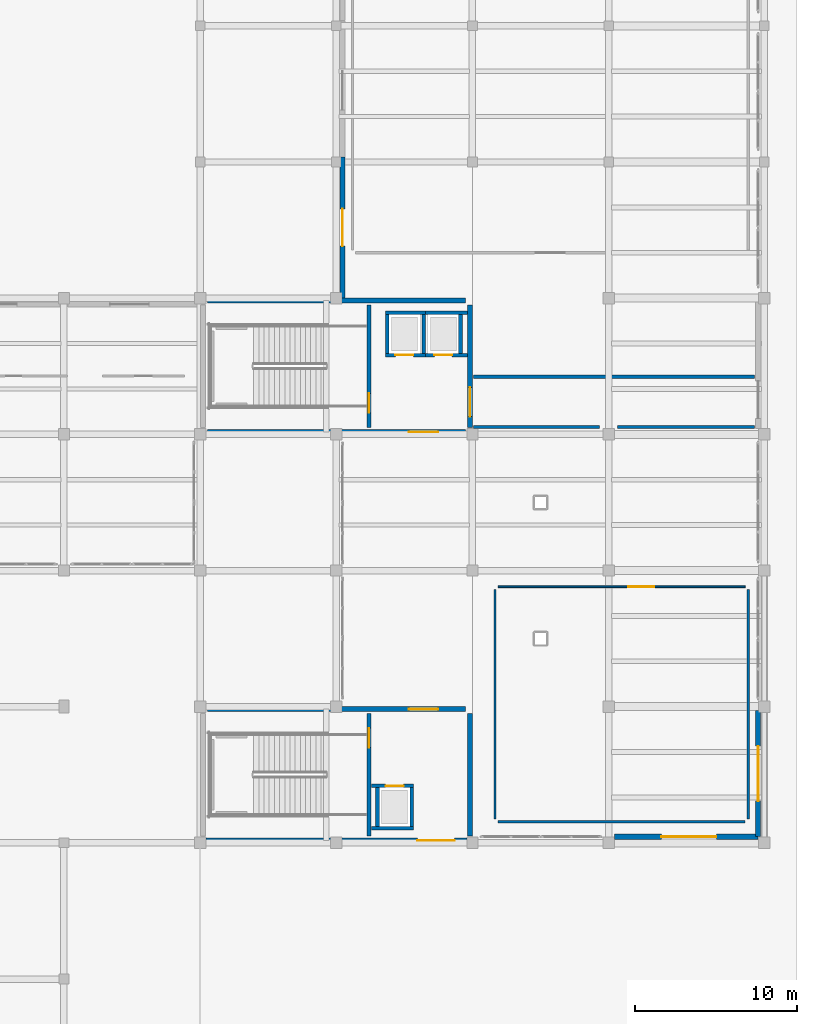
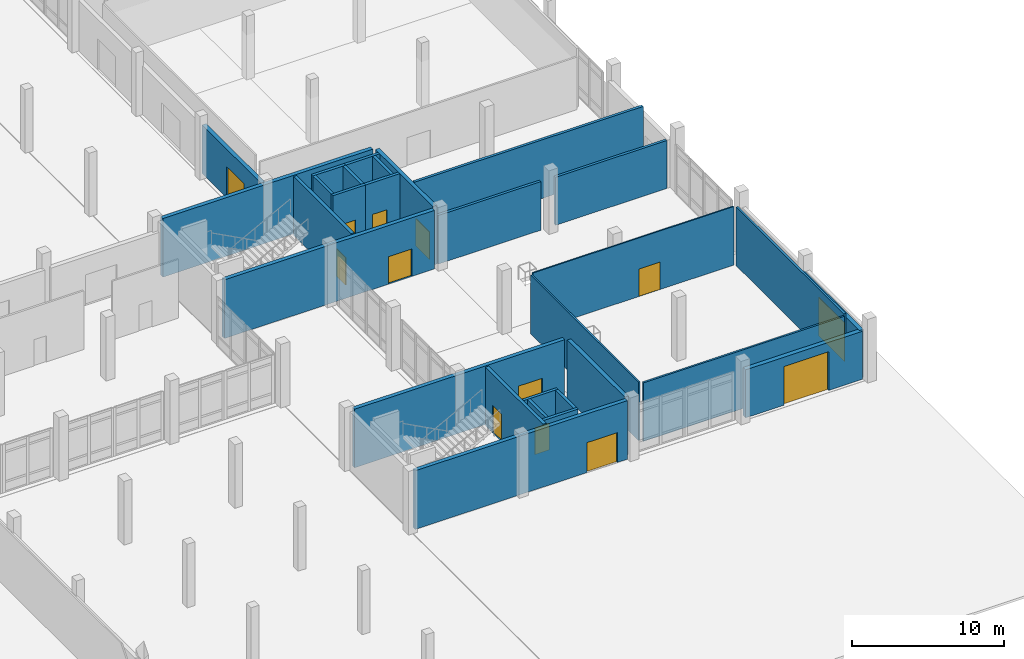
# One storey, part 50 of 64: 29 walls, 13 doors, 13 openings.
"""IFC4 building model written with IfcOpenShell, lengths in metres."""

from ifc_helpers import new_model, si_unit, derived_unit, direction, frame, frame_2d, origin, place, context, subcontext, project, spatial, rectangle, extrude, material, layer, layer_set, type_object, element, fill, save


model = new_model("IFC4")

# Units and contexts
model_context = context("Model", 3, precision=1e-05, world=origin(), true_north=direction((0.0, 1.0)))
body_context = subcontext(model_context, "Body", "Model", "MODEL_VIEW")
ifc_project = project(units=[si_unit("LENGTHUNIT", "METRE"), si_unit("AREAUNIT", "SQUARE_METRE"), si_unit("VOLUMEUNIT", "CUBIC_METRE"), si_unit("PLANEANGLEUNIT", "RADIAN"), si_unit("MASSUNIT", "GRAM", prefix="KILO"), derived_unit("THERMALTRANSMITTANCEUNIT", [(si_unit("POWERUNIT", "WATT"), 1), (si_unit("LENGTHUNIT", "METRE"), -2), (si_unit("THERMODYNAMICTEMPERATUREUNIT", "KELVIN"), -1)])], contexts=[model_context])

# Site, building, storey
site_placement = place(None, origin())
site = spatial("IfcSite", under=ifc_project, at=site_placement, CompositionType="ELEMENT")
building_placement = place(site_placement, origin())
building = spatial("IfcBuilding", under=site, at=building_placement, Name="Elbkamm Science Centre", CompositionType="ELEMENT")
storey_placement = place(building_placement, origin())
storey = spatial("IfcBuildingStorey", under=building, at=storey_placement, Name="L00", CompositionType="ELEMENT", Elevation=0.0)

# Wall, opening, door
ifc_material_1 = material(Name="Reinforced concrete C40/50", Category="concrete")
ifc_layer_1 = layer(ifc_material_1, 0.25)
ifc_layer_set_1 = layer_set([ifc_layer_1], Name="Reinforced concrete C40/50")
wall_type_1 = type_object("IfcWallType", Name="WL-CORE-250", PredefinedType="SHEAR", material=ifc_layer_set_1)
wall_1_placement = place(storey_placement, frame((136.419921875, 50.820068359375, 0.0), z_axis=(0.0, 0.0, 1.0), x_axis=(0.0, 1.0, 0.0)))
wall_1 = element("IfcWall", 1, at=wall_1_placement, inside=storey, type_object=wall_type_1, Name="L00 C3 Stairwell Compartment Wall", PredefinedType="SHEAR", context=body_context, shape_type="SweptSolid", body=[
    extrude(rectangle(XDim=7.559814453125, YDim=0.25, at=frame_2d((3.77978515625, 0.0))), origin(), (0.0, 0.0, 1.0), 4.699951171875),
])
opening_1_placement = place(wall_1_placement, frame((0.89990234375, 0.0, 0.0)))
opening_1 = element("IfcOpeningElement", 2, at=opening_1_placement, cuts=wall_1, Name="Opening DC-02", PredefinedType="OPENING", context=body_context, shape_type="SweptSolid", body=[
    extrude(rectangle(XDim=1.199951171875, YDim=2.199951171875, at=frame_2d((0.60009765625, 1.10009765625))), frame((0.0, 0.136962890625, 0.0), z_axis=(0.0, -1.0, 0.0), x_axis=(1.0, 0.0, 0.0)), (0.0, 0.0, 1.0), 0.27392578125),
])
ifc_material_2 = material(Name="Fire-rated steel acoustic door", Category="steel")
ifc_layer_2 = layer(ifc_material_2, 0.050048828125)
ifc_layer_set_2 = layer_set([ifc_layer_2], Name="Fire-rated steel acoustic door")
door_type_1 = type_object("IfcDoorType", Name="DR-CORE-1200x2200", OperationType="NOTDEFINED", PredefinedType="DOOR", material=ifc_layer_set_2)
door_1_placement = place(opening_1_placement, origin())
door_1 = element("IfcDoor", 3, at=door_1_placement, inside=storey, type_object=door_type_1, Name="L00 ST-C3 Stairwell Fire Door", OperationType="SINGLE_SWING_RIGHT", OverallHeight=2.199951171875, OverallWidth=1.199951171875, PredefinedType="DOOR", context=body_context, shape_type="SweptSolid", body=[
    extrude(rectangle(XDim=1.199951171875, YDim=2.199951171875, at=frame_2d((0.60009765625, 1.10009765625))), frame((0.0, 0.02490234375, 0.0), z_axis=(0.0, -1.0, 0.0), x_axis=(1.0, 0.0, 0.0)), (0.0, 0.0, 1.0), 0.050048828125),
])
fill(opening_1, door_1)

wall_2_placement = place(storey_placement, frame((136.419921875, 25.6201171875, 0.0), z_axis=(0.0, 0.0, 1.0), x_axis=(0.0, 1.0, 0.0)))
wall_2 = element("IfcWall", 4, at=wall_2_placement, inside=storey, type_object=wall_type_1, Name="L00 C4 Stairwell Compartment Wall", PredefinedType="SHEAR", context=body_context, shape_type="SweptSolid", body=[
    extrude(rectangle(XDim=7.559814453125, YDim=0.25, at=frame_2d((3.77978515625, 0.0))), origin(), (0.0, 0.0, 1.0), 4.699951171875),
])
opening_2_placement = place(wall_2_placement, frame((5.4599609375, 0.0, 0.0)))
opening_2 = element("IfcOpeningElement", 5, at=opening_2_placement, cuts=wall_2, Name="Opening DC-02", PredefinedType="OPENING", context=body_context, shape_type="SweptSolid", body=[
    extrude(rectangle(XDim=1.199951171875, YDim=2.199951171875, at=frame_2d((0.60009765625, 1.10009765625))), frame((0.0, 0.136962890625, 0.0), z_axis=(0.0, -1.0, 0.0), x_axis=(1.0, 0.0, 0.0)), (0.0, 0.0, 1.0), 0.27392578125),
])
door_2_placement = place(opening_2_placement, origin())
door_2 = element("IfcDoor", 6, at=door_2_placement, inside=storey, type_object=door_type_1, Name="L00 ST-C4 Stairwell Fire Door", OperationType="SINGLE_SWING_LEFT", OverallHeight=2.199951171875, OverallWidth=1.199951171875, PredefinedType="DOOR", context=body_context, shape_type="SweptSolid", body=[
    extrude(rectangle(XDim=1.199951171875, YDim=2.199951171875, at=frame_2d((0.60009765625, 1.10009765625))), frame((0.0, 0.02490234375, 0.0), z_axis=(0.0, -1.0, 0.0), x_axis=(1.0, 0.0, 0.0)), (0.0, 0.0, 1.0), 0.050048828125),
])
fill(opening_2, door_2)

ifc_layer_3 = layer(ifc_material_1, 0.300048828125)
ifc_layer_set_3 = layer_set([ifc_layer_3], Name="Reinforced concrete C40/50")
wall_type_2 = type_object("IfcWallType", Name="WL-CORE-300", PredefinedType="SHEAR", material=ifc_layer_set_3)
wall_3_placement = place(storey_placement, frame((126.449951171875, 50.550048828125, 0.0), z_axis=(0.0, 0.0, 1.0), x_axis=(1.0, 0.0, 0.0)))
wall_3 = element("IfcWall", 7, at=wall_3_placement, inside=storey, type_object=wall_type_2, Name="L00 Core C3 Northeast Laboratories and Observatory Core Shear Wall S", PredefinedType="SHEAR", context=body_context, shape_type="SweptSolid", body=[
    extrude(rectangle(XDim=15.929931640625, YDim=0.300048828125, at=frame_2d((7.96484375, 0.0))), origin(), (0.0, 0.0, 1.0), 4.699951171875),
])
opening_3_placement = place(wall_3_placement, frame((12.429931640625, 0.0, 0.0)))
opening_3 = element("IfcOpeningElement", 8, at=opening_3_placement, cuts=wall_3, Name="Opening DC-01", PredefinedType="OPENING", context=body_context, shape_type="SweptSolid", body=[
    extrude(rectangle(XDim=1.800048828125, YDim=2.199951171875, at=frame_2d((0.89990234375, 1.10009765625))), frame((0.0, 0.162109375, 0.0), z_axis=(0.0, -1.0, 0.0), x_axis=(1.0, 0.0, 0.0)), (0.0, 0.0, 1.0), 0.323974609375),
])
ifc_layer_4 = layer(ifc_material_2, 0.050048828125)
ifc_layer_set_4 = layer_set([ifc_layer_4], Name="Fire-rated steel acoustic door")
door_type_2 = type_object("IfcDoorType", Name="DR-CORE-1800x2200", OperationType="DOUBLE_DOOR_SINGLE_SWING", PredefinedType="DOOR", material=ifc_layer_set_4)
door_3_placement = place(opening_3_placement, origin())
door_3 = element("IfcDoor", 9, at=door_3_placement, inside=storey, type_object=door_type_2, Name="L00 C3 Core Lobby Fire Door", OperationType="DOUBLE_DOOR_SINGLE_SWING", OverallHeight=2.199951171875, OverallWidth=1.800048828125, PredefinedType="DOOR", context=body_context, shape_type="SweptSolid", body=[
    extrude(rectangle(XDim=1.800048828125, YDim=2.199951171875, at=frame_2d((0.89990234375, 1.10009765625))), frame((0.0, 0.02490234375, 0.0), z_axis=(0.0, -1.0, 0.0), x_axis=(1.0, 0.0, 0.0)), (0.0, 0.0, 1.0), 0.050048828125),
])
fill(opening_3, door_3)

# Wall
wall_4_placement = place(storey_placement, frame((126.449951171875, 58.64990234375, 0.0), z_axis=(0.0, 0.0, 1.0), x_axis=(1.0, 0.0, 0.0)))
element("IfcWall", 10, at=wall_4_placement, inside=storey, type_object=wall_type_2, Name="L00 Core C3 Northeast Laboratories and Observatory Core Shear Wall N", PredefinedType="SHEAR", context=body_context, shape_type="SweptSolid", body=[
    extrude(rectangle(XDim=15.929931640625, YDim=0.300048828125, at=frame_2d((7.96484375, 0.0))), origin(), (0.0, 0.0, 1.0), 4.699951171875),
])

# Wall, opening, door
wall_5_placement = place(storey_placement, frame((142.64990234375, 50.820068359375, 0.0), z_axis=(0.0, 0.0, 1.0), x_axis=(0.0, 1.0, 0.0)))
wall_5 = element("IfcWall", 11, at=wall_5_placement, inside=storey, type_object=wall_type_2, Name="L00 Core C3 Northeast Laboratories and Observatory Core Shear Wall E", PredefinedType="SHEAR", context=body_context, shape_type="SweptSolid", body=[
    extrude(rectangle(XDim=7.559814453125, YDim=0.300048828125, at=frame_2d((3.77978515625, 0.0))), origin(), (0.0, 0.0, 1.0), 4.699951171875),
])
opening_4_placement = place(wall_5_placement, frame((0.679931640625, 0.0, 0.0)))
opening_4 = element("IfcOpeningElement", 12, at=opening_4_placement, cuts=wall_5, Name="Opening DC-01", PredefinedType="OPENING", context=body_context, shape_type="SweptSolid", body=[
    extrude(rectangle(XDim=1.800048828125, YDim=2.199951171875, at=frame_2d((0.89990234375, 1.10009765625))), frame((0.0, 0.162109375, 0.0), z_axis=(0.0, -1.0, 0.0), x_axis=(1.0, 0.0, 0.0)), (0.0, 0.0, 1.0), 0.323974609375),
])
door_4_placement = place(opening_4_placement, frame((1.800048828125, 0.0, 0.0), z_axis=(0.0, 0.0, 1.0), x_axis=(-1.0, 0.0, 0.0)))
door_4 = element("IfcDoor", 13, at=door_4_placement, inside=storey, type_object=door_type_2, Name="L00 C3 Protected Exit Passageway Entry Fire Door", OperationType="DOUBLE_DOOR_SINGLE_SWING", OverallHeight=2.199951171875, OverallWidth=1.800048828125, PredefinedType="DOOR", context=body_context, shape_type="SweptSolid", body=[
    extrude(rectangle(XDim=1.800048828125, YDim=2.199951171875, at=frame_2d((0.89990234375, 1.10009765625))), frame((0.0, 0.02490234375, 0.0), z_axis=(0.0, -1.0, 0.0), x_axis=(1.0, 0.0, 0.0)), (0.0, 0.0, 1.0), 0.050048828125),
])
fill(opening_4, door_4)

wall_6_placement = place(storey_placement, frame((126.35205078125, 25.35009765625, 0.0), z_axis=(0.0, 0.0, 1.0), x_axis=(1.0, 0.0, 0.0)))
wall_6 = element("IfcWall", 14, at=wall_6_placement, inside=storey, type_object=wall_type_2, Name="L00 Core C4 Southeast Workshops and Library Core Shear Wall S", PredefinedType="SHEAR", context=body_context, shape_type="SweptSolid", body=[
    extrude(rectangle(XDim=16.095947265625, YDim=0.300048828125, at=frame_2d((8.0478515625, 0.0))), origin(), (0.0, 0.0, 1.0), 4.699951171875),
])
opening_5_placement = place(wall_6_placement, frame((13.048095703125, 0.0, 0.0)))
opening_5 = element("IfcOpeningElement", 15, at=opening_5_placement, cuts=wall_6, Name="Opening EX-22", PredefinedType="OPENING", context=body_context, shape_type="SweptSolid", body=[
    extrude(rectangle(XDim=2.300048828125, YDim=2.39990234375, at=frame_2d((1.14990234375, 1.199951171875))), frame((0.0, 0.162109375, 0.0), z_axis=(0.0, -1.0, 0.0), x_axis=(1.0, 0.0, 0.0)), (0.0, 0.0, 1.0), 0.323974609375),
])
ifc_material_3 = material(Name="Powder-coated aluminium and laminated glass", Category="aluminium")
ifc_layer_5 = layer(ifc_material_3, 0.050048828125)
ifc_layer_set_5 = layer_set([ifc_layer_5], Name="Powder-coated aluminium and laminated glass")
door_type_3 = type_object("IfcDoorType", Name="DR-EXIT-2300x2400", OperationType="DOUBLE_DOOR_SINGLE_SWING", PredefinedType="DOOR", material=ifc_layer_set_5)
door_5_placement = place(opening_5_placement, frame((2.300048828125, 0.0, 0.0), z_axis=(0.0, 0.0, 1.0), x_axis=(-1.0, 0.0, 0.0)))
door_5 = element("IfcDoor", 16, at=door_5_placement, inside=storey, type_object=door_type_3, Name="Core C4 Direct Final Exit Door EX-22", OperationType="DOUBLE_DOOR_SINGLE_SWING", OverallHeight=2.39990234375, OverallWidth=2.300048828125, PredefinedType="DOOR", context=body_context, shape_type="SweptSolid", body=[
    extrude(rectangle(XDim=2.300048828125, YDim=2.39990234375, at=frame_2d((1.14990234375, 1.199951171875))), frame((0.0, 0.02490234375, 0.0), z_axis=(0.0, -1.0, 0.0), x_axis=(1.0, 0.0, 0.0)), (0.0, 0.0, 1.0), 0.050048828125),
])
fill(opening_5, door_5)

wall_7_placement = place(storey_placement, frame((126.449951171875, 33.449951171875, 0.0), z_axis=(0.0, 0.0, 1.0), x_axis=(1.0, 0.0, 0.0)))
wall_7 = element("IfcWall", 17, at=wall_7_placement, inside=storey, type_object=wall_type_2, Name="L00 Core C4 Southeast Workshops and Library Core Shear Wall N", PredefinedType="SHEAR", context=body_context, shape_type="SweptSolid", body=[
    extrude(rectangle(XDim=15.929931640625, YDim=0.300048828125, at=frame_2d((7.96484375, 0.0))), origin(), (0.0, 0.0, 1.0), 4.699951171875),
])
opening_6_placement = place(wall_7_placement, frame((12.429931640625, 0.0, 0.0)))
opening_6 = element("IfcOpeningElement", 18, at=opening_6_placement, cuts=wall_7, Name="Opening DC-01", PredefinedType="OPENING", context=body_context, shape_type="SweptSolid", body=[
    extrude(rectangle(XDim=1.800048828125, YDim=2.199951171875, at=frame_2d((0.89990234375, 1.10009765625))), frame((0.0, 0.162109375, 0.0), z_axis=(0.0, -1.0, 0.0), x_axis=(1.0, 0.0, 0.0)), (0.0, 0.0, 1.0), 0.323974609375),
])
door_6_placement = place(opening_6_placement, origin())
door_6 = element("IfcDoor", 19, at=door_6_placement, inside=storey, type_object=door_type_2, Name="L00 C4 Core Lobby Fire Door", OperationType="DOUBLE_DOOR_SINGLE_SWING", OverallHeight=2.199951171875, OverallWidth=1.800048828125, PredefinedType="DOOR", context=body_context, shape_type="SweptSolid", body=[
    extrude(rectangle(XDim=1.800048828125, YDim=2.199951171875, at=frame_2d((0.89990234375, 1.10009765625))), frame((0.0, 0.02490234375, 0.0), z_axis=(0.0, -1.0, 0.0), x_axis=(1.0, 0.0, 0.0)), (0.0, 0.0, 1.0), 0.050048828125),
])
fill(opening_6, door_6)

# Walls
wall_8_placement = place(storey_placement, frame((142.64990234375, 25.6201171875, 0.0), z_axis=(0.0, 0.0, 1.0), x_axis=(0.0, 1.0, 0.0)))
element("IfcWall", 20, at=wall_8_placement, inside=storey, type_object=wall_type_2, Name="L00 Core C4 Southeast Workshops and Library Core Shear Wall E", PredefinedType="SHEAR", context=body_context, shape_type="SweptSolid", body=[
    extrude(rectangle(XDim=7.559814453125, YDim=0.300048828125, at=frame_2d((3.77978515625, 0.0))), origin(), (0.0, 0.0, 1.0), 4.699951171875),
])
ifc_material_4 = material(Name="Fire-rated acoustic blockwork", Category="masonry")
ifc_layer_6 = layer(ifc_material_4, 0.199951171875)
ifc_layer_set_6 = layer_set([ifc_layer_6], Name="Fire-rated acoustic blockwork")
wall_type_3 = type_object("IfcWallType", Name="WL-EXCOR-200", PredefinedType="PARTITIONING", material=ifc_layer_set_6)
wall_9_placement = place(storey_placement, frame((142.85009765625, 50.85009765625, 0.0), z_axis=(0.0, 0.0, 1.0), x_axis=(1.0, 0.0, 0.0)))
element("IfcWall", 21, at=wall_9_placement, inside=storey, type_object=wall_type_3, Name="L00 Protected Exit Passageway C3 EI 90 Wall S1", PredefinedType="PARTITIONING", context=body_context, shape_type="SweptSolid", body=[
    extrude(rectangle(XDim=7.7998046875, YDim=0.199951171875, at=frame_2d((3.89990234375, 0.0))), origin(), (0.0, 0.0, 1.0), 3.89990234375),
])
wall_10_placement = place(storey_placement, frame((151.75, 50.85009765625, 0.0), z_axis=(0.0, 0.0, 1.0), x_axis=(1.0, 0.0, 0.0)))
element("IfcWall", 22, at=wall_10_placement, inside=storey, type_object=wall_type_3, Name="L00 Protected Exit Passageway C3 EI 90 Wall S2", PredefinedType="PARTITIONING", context=body_context, shape_type="SweptSolid", body=[
    extrude(rectangle(XDim=8.449951171875, YDim=0.199951171875, at=frame_2d((4.22509765625, 0.0))), origin(), (0.0, 0.0, 1.0), 3.85009765625),
])
wall_11_placement = place(storey_placement, frame((142.85009765625, 53.949951171875, 0.0), z_axis=(0.0, 0.0, 1.0), x_axis=(1.0, 0.0, 0.0)))
element("IfcWall", 23, at=wall_11_placement, inside=storey, type_object=wall_type_3, Name="L00 Protected Exit Passageway C3 EI 90 Wall N1", PredefinedType="PARTITIONING", context=body_context, shape_type="SweptSolid", body=[
    extrude(rectangle(XDim=17.349853515625, YDim=0.199951171875, at=frame_2d((8.6748046875, 0.0))), origin(), (0.0, 0.0, 1.0), 4.699951171875),
])

# Wall, opening, door
ifc_material_5 = material(Name="White precast concrete C40/50", Category="concrete")
ifc_layer_7 = layer(ifc_material_5, 0.31005859375)
ifc_layer_set_7 = layer_set([ifc_layer_7], Name="White precast concrete C40/50")
wall_type_4 = type_object("IfcWallType", Name="WL-EXT-310", PredefinedType="SOLIDWALL", material=ifc_layer_set_7)
wall_12_placement = place(storey_placement, frame((134.780029296875, 58.81494140625, 0.0), z_axis=(0.0, 0.0, 1.0), x_axis=(0.0, 1.0, 0.0)))
wall_12 = element("IfcWall", 24, at=wall_12_placement, inside=storey, type_object=wall_type_4, Name="L00 Exterior Wall 0137", PredefinedType="SOLIDWALL", context=body_context, shape_type="SweptSolid", body=[
    extrude(rectangle(XDim=8.68505859375, YDim=0.31005859375, at=frame_2d((4.342529296875, 0.0))), origin(), (0.0, 0.0, 1.0), 3.89990234375),
])
opening_7_placement = place(wall_12_placement, frame((3.1904296875, 0.0, 0.0)))
opening_7 = element("IfcOpeningElement", 25, at=opening_7_placement, cuts=wall_12, Name="Opening EX-18", PredefinedType="OPENING", context=body_context, shape_type="SweptSolid", body=[
    extrude(rectangle(XDim=2.300048828125, YDim=2.5, at=frame_2d((1.14990234375, 1.25))), frame((0.0, 0.1669921875, 0.0), z_axis=(0.0, -1.0, 0.0), x_axis=(1.0, 0.0, 0.0)), (0.0, 0.0, 1.0), 0.333984375),
])
ifc_layer_8 = layer(ifc_material_3, 0.050048828125)
ifc_layer_set_8 = layer_set([ifc_layer_8], Name="Powder-coated aluminium and laminated glass")
door_type_4 = type_object("IfcDoorType", Name="DR-EXIT-2300x2500", OperationType="DOUBLE_DOOR_SINGLE_SWING", PredefinedType="DOOR", material=ifc_layer_set_8)
door_7_placement = place(opening_7_placement, origin())
door_7 = element("IfcDoor", 26, at=door_7_placement, inside=storey, type_object=door_type_4, Name="Final Exit Pedestrian Door EX-18", OperationType="DOUBLE_DOOR_SINGLE_SWING", OverallHeight=2.5, OverallWidth=2.300048828125, PredefinedType="DOOR", context=body_context, shape_type="SweptSolid", body=[
    extrude(rectangle(XDim=2.300048828125, YDim=2.5, at=frame_2d((1.14990234375, 1.25))), frame((0.0, 0.02490234375, 0.0), z_axis=(0.0, -1.0, 0.0), x_axis=(1.0, 0.0, 0.0)), (0.0, 0.0, 1.0), 0.050048828125),
])
fill(opening_7, door_7)

wall_13_placement = place(storey_placement, frame((160.419921875, 33.36083984375, 0.0), z_axis=(0.0, 0.0, 1.0), x_axis=(0.0, -1.0, 0.0)))
wall_13 = element("IfcWall", 27, at=wall_13_placement, inside=storey, type_object=wall_type_4, Name="L00 Exterior Wall 0141", PredefinedType="SOLIDWALL", context=body_context, shape_type="SweptSolid", body=[
    extrude(rectangle(XDim=7.78076171875, YDim=0.31005859375, at=frame_2d((3.890380859375, 0.0))), origin(), (0.0, 0.0, 1.0), 3.85009765625),
])
opening_8_placement = place(wall_13_placement, frame((2.1904296875, 0.0, 0.0)))
opening_8 = element("IfcOpeningElement", 28, at=opening_8_placement, cuts=wall_13, Name="Opening GT-01", PredefinedType="OPENING", context=body_context, shape_type="SweptSolid", body=[
    extrude(rectangle(XDim=3.39990234375, YDim=3.10009765625, at=frame_2d((1.699951171875, 1.550048828125))), frame((0.0, 0.1669921875, 0.0), z_axis=(0.0, -1.0, 0.0), x_axis=(1.0, 0.0, 0.0)), (0.0, 0.0, 1.0), 0.333984375),
])
ifc_material_6 = material(Name="Insulated galvanised steel shutter", Category="steel")
ifc_layer_9 = layer(ifc_material_6, 0.050048828125)
ifc_layer_set_9 = layer_set([ifc_layer_9], Name="Insulated galvanised steel shutter")
door_type_5 = type_object("IfcDoorType", Name="DR-GATE-3400x3100", OperationType="ROLLINGUP", PredefinedType="GATE", material=ifc_layer_set_9)
door_8_placement = place(opening_8_placement, origin())
door_8 = element("IfcDoor", 29, at=door_8_placement, inside=storey, type_object=door_type_5, Name="Loading Dock Roller Shutter Gate GT-01", OperationType="ROLLINGUP", OverallHeight=3.10009765625, OverallWidth=3.39990234375, PredefinedType="GATE", context=body_context, shape_type="SweptSolid", body=[
    extrude(rectangle(XDim=3.39990234375, YDim=3.10009765625, at=frame_2d((1.699951171875, 1.550048828125))), frame((0.0, 0.02490234375, 0.0), z_axis=(0.0, -1.0, 0.0), x_axis=(1.0, 0.0, 0.0)), (0.0, 0.0, 1.0), 0.050048828125),
])
fill(opening_8, door_8)

ifc_layer_10 = layer(ifc_material_5, 0.340087890625)
ifc_layer_set_10 = layer_set([ifc_layer_10], Name="White precast concrete C40/50")
wall_type_5 = type_object("IfcWallType", Name="WL-EXT-340", PredefinedType="SOLIDWALL", material=ifc_layer_set_10)
wall_14_placement = place(storey_placement, frame((160.419921875, 25.580078125, 0.0), z_axis=(0.0, 0.0, 1.0), x_axis=(-1.0, 0.0, 0.0)))
wall_14 = element("IfcWall", 30, at=wall_14_placement, inside=storey, type_object=wall_type_5, Name="L00 Exterior Wall 0142", PredefinedType="SOLIDWALL", context=body_context, shape_type="SweptSolid", body=[
    extrude(rectangle(XDim=8.867919921875, YDim=0.340087890625, at=frame_2d((4.43408203125, 0.0))), origin(), (0.0, 0.0, 1.0), 3.85009765625),
])
opening_9_placement = place(wall_14_placement, frame((2.5673828125, 0.0, 0.0)))
opening_9 = element("IfcOpeningElement", 31, at=opening_9_placement, cuts=wall_14, Name="Opening GT-02", PredefinedType="OPENING", context=body_context, shape_type="SweptSolid", body=[
    extrude(rectangle(XDim=3.39990234375, YDim=3.10009765625, at=frame_2d((1.699951171875, 1.550048828125))), frame((0.0, 0.18212890625, 0.0), z_axis=(0.0, -1.0, 0.0), x_axis=(1.0, 0.0, 0.0)), (0.0, 0.0, 1.0), 0.364013671875),
])
door_9_placement = place(opening_9_placement, origin())
door_9 = element("IfcDoor", 32, at=door_9_placement, inside=storey, type_object=door_type_5, Name="Loading Dock Roller Shutter Gate GT-02", OperationType="ROLLINGUP", OverallHeight=3.10009765625, OverallWidth=3.39990234375, PredefinedType="GATE", context=body_context, shape_type="SweptSolid", body=[
    extrude(rectangle(XDim=3.39990234375, YDim=3.10009765625, at=frame_2d((1.699951171875, 1.550048828125))), frame((0.0, 0.02490234375, 0.0), z_axis=(0.0, -1.0, 0.0), x_axis=(1.0, 0.0, 0.0)), (0.0, 0.0, 1.0), 0.050048828125),
])
fill(opening_9, door_9)

ifc_material_7 = material(Name="Drywall service partition", Category="gypsum")
ifc_layer_11 = layer(ifc_material_7, 0.10009765625)
ifc_layer_set_11 = layer_set([ifc_layer_11], Name="Drywall service partition")
wall_type_6 = type_object("IfcWallType", Name="WL-PART-100", PredefinedType="PARTITIONING", material=ifc_layer_set_11)
wall_15_placement = place(storey_placement, frame((144.3798828125, 41.0, 0.0), z_axis=(0.0, 0.0, 1.0), x_axis=(1.0, 0.0, 0.0)))
wall_15 = element("IfcWall", 33, at=wall_15_placement, inside=storey, type_object=wall_type_6, Name="L00 Exhibit Truck Loading Dock Partition 0047", PredefinedType="PARTITIONING", context=body_context, shape_type="SweptSolid", body=[
    extrude(rectangle(XDim=15.240234375, YDim=0.10009765625, at=frame_2d((7.6201171875, 0.0))), origin(), (0.0, 0.0, 1.0), 4.699951171875),
])
opening_10_placement = place(wall_15_placement, frame((8.039306640625, 0.0, 0.0)))
opening_10 = element("IfcOpeningElement", 34, at=opening_10_placement, cuts=wall_15, Name="Opening DI-02", PredefinedType="OPENING", context=body_context, shape_type="SweptSolid", body=[
    extrude(rectangle(XDim=1.60009765625, YDim=2.199951171875, at=frame_2d((0.800048828125, 1.10009765625))), frame((0.0, 0.06201171875, 0.0), z_axis=(0.0, -1.0, 0.0), x_axis=(1.0, 0.0, 0.0)), (0.0, 0.0, 1.0), 0.1240234375),
])
ifc_material_8 = material(Name="Acoustic oak veneer and safety glass door", Category="glass")
ifc_layer_12 = layer(ifc_material_8, 0.050048828125)
ifc_layer_set_12 = layer_set([ifc_layer_12], Name="Acoustic oak veneer and safety glass door")
door_type_6 = type_object("IfcDoorType", Name="DR-INT-1600x2200", OperationType="DOUBLE_DOOR_SINGLE_SWING", PredefinedType="DOOR", material=ifc_layer_set_12)
door_10_placement = place(opening_10_placement, origin())
door_10 = element("IfcDoor", 35, at=door_10_placement, inside=storey, type_object=door_type_6, Name="L00 Exhibit Truck Loading Dock Door", OperationType="DOUBLE_DOOR_SINGLE_SWING", OverallHeight=2.199951171875, OverallWidth=1.60009765625, PredefinedType="DOOR", context=body_context, shape_type="SweptSolid", body=[
    extrude(rectangle(XDim=1.60009765625, YDim=2.199951171875, at=frame_2d((0.800048828125, 1.10009765625))), frame((0.0, 0.02490234375, 0.0), z_axis=(0.0, -1.0, 0.0), x_axis=(1.0, 0.0, 0.0)), (0.0, 0.0, 1.0), 0.050048828125),
])
fill(opening_10, door_10)

# Walls
ifc_material_9 = material(Name="Lightweight metal-stud gypsum partition", Category="gypsum")
ifc_layer_13 = layer(ifc_material_9, 0.125)
ifc_layer_set_13 = layer_set([ifc_layer_13], Name="Lightweight metal-stud gypsum partition")
wall_type_7 = type_object("IfcWallType", Name="WL-PART-125", PredefinedType="PARTITIONING", material=ifc_layer_set_13)
wall_16_placement = place(storey_placement, frame((144.199951171875, 26.679931640625, 0.0), z_axis=(0.0, 0.0, 1.0), x_axis=(0.0, 1.0, 0.0)))
element("IfcWall", 36, at=wall_16_placement, inside=storey, type_object=wall_type_7, Name="L00 Exhibit Truck Loading Dock Partition 0050", PredefinedType="PARTITIONING", context=body_context, shape_type="SweptSolid", body=[
    extrude(rectangle(XDim=14.14013671875, YDim=0.125, at=frame_2d((7.070068359375, 0.0))), origin(), (0.0, 0.0, 1.0), 4.699951171875),
])
ifc_material_10 = material(Name="Acoustic metal-stud gypsum partition", Category="gypsum")
ifc_layer_14 = layer(ifc_material_10, 0.139892578125)
ifc_layer_set_14 = layer_set([ifc_layer_14], Name="Acoustic metal-stud gypsum partition")
wall_type_8 = type_object("IfcWallType", Name="WL-PART-140", PredefinedType="PARTITIONING", material=ifc_layer_set_14)
wall_17_placement = place(storey_placement, frame((159.6201171875, 26.5, 0.0), z_axis=(0.0, 0.0, 1.0), x_axis=(-1.0, 0.0, 0.0)))
element("IfcWall", 37, at=wall_17_placement, inside=storey, type_object=wall_type_8, Name="L00 Exhibit Truck Loading Dock Partition 0049", PredefinedType="PARTITIONING", context=body_context, shape_type="SweptSolid", body=[
    extrude(rectangle(XDim=15.240234375, YDim=0.139892578125, at=frame_2d((7.6201171875, 0.0))), origin(), (0.0, 0.0, 1.0), 4.699951171875),
])
ifc_layer_15 = layer(ifc_material_10, 0.159912109375)
ifc_layer_set_15 = layer_set([ifc_layer_15], Name="Acoustic metal-stud gypsum partition")
wall_type_9 = type_object("IfcWallType", Name="WL-PART-160", PredefinedType="PARTITIONING", material=ifc_layer_set_15)
wall_18_placement = place(storey_placement, frame((159.800048828125, 40.820068359375, 0.0), z_axis=(0.0, 0.0, 1.0), x_axis=(0.0, -1.0, 0.0)))
element("IfcWall", 38, at=wall_18_placement, inside=storey, type_object=wall_type_9, Name="L00 Exhibit Truck Loading Dock Partition 0048", PredefinedType="PARTITIONING", context=body_context, shape_type="SweptSolid", body=[
    extrude(rectangle(XDim=14.14013671875, YDim=0.159912109375, at=frame_2d((7.070068359375, 0.0))), origin(), (0.0, 0.0, 1.0), 4.699951171875),
])
ifc_layer_16 = layer(ifc_material_1, 0.219970703125)
ifc_layer_set_16 = layer_set([ifc_layer_16], Name="Reinforced concrete C40/50")
wall_type_10 = type_object("IfcWallType", Name="WL-SHAFT-220", PredefinedType="SOLIDWALL", material=ifc_layer_set_16)
wall_19_placement = place(storey_placement, frame((137.5400390625, 55.39990234375, 0.0), z_axis=(0.0, 0.0, 1.0), x_axis=(0.0, 1.0, 0.0)))
element("IfcWall", 39, at=wall_19_placement, inside=storey, type_object=wall_type_10, Name="L00 Lift LP1 Shaft West Wall", PredefinedType="SOLIDWALL", context=body_context, shape_type="SweptSolid", body=[
    extrude(rectangle(XDim=2.400146484375, YDim=0.219970703125, at=frame_2d((1.2001953125, 0.0))), origin(), (0.0, 0.0, 1.0), 4.699951171875),
])
wall_20_placement = place(storey_placement, frame((137.429931640625, 57.909912109375, 0.0), z_axis=(0.0, 0.0, 1.0), x_axis=(1.0, 0.0, 0.0)))
element("IfcWall", 40, at=wall_20_placement, inside=storey, type_object=wall_type_10, Name="L00 Lift LP1 Shaft Back Wall", PredefinedType="SOLIDWALL", context=body_context, shape_type="SweptSolid", body=[
    extrude(rectangle(XDim=2.47998046875, YDim=0.219970703125, at=frame_2d((1.239990234375, 0.0))), origin(), (0.0, 0.0, 1.0), 4.699951171875),
])

# Wall, opening, door
wall_21_placement = place(storey_placement, frame((137.429931640625, 55.2900390625, 0.0), z_axis=(0.0, 0.0, 1.0), x_axis=(1.0, 0.0, 0.0)))
wall_21 = element("IfcWall", 41, at=wall_21_placement, inside=storey, type_object=wall_type_10, Name="L00 Lift LP1 Shaft Front Wall", PredefinedType="SOLIDWALL", context=body_context, shape_type="SweptSolid", body=[
    extrude(rectangle(XDim=2.47998046875, YDim=0.219970703125, at=frame_2d((1.239990234375, 0.0))), origin(), (0.0, 0.0, 1.0), 4.699951171875),
])
opening_11_placement = place(wall_21_placement, frame((0.6201171875, 0.0, 0.0)))
opening_11 = element("IfcOpeningElement", 42, at=opening_11_placement, cuts=wall_21, Name="Opening LD-01", PredefinedType="OPENING", context=body_context, shape_type="SweptSolid", body=[
    extrude(rectangle(XDim=1.10009765625, YDim=2.14990234375, at=frame_2d((0.550048828125, 1.074951171875))), frame((0.0, 0.1220703125, 0.0), z_axis=(0.0, -1.0, 0.0), x_axis=(1.0, 0.0, 0.0)), (0.0, 0.0, 1.0), 0.243896484375),
])
ifc_material_11 = material(Name="Stainless steel lift landing door", Category="steel")
ifc_layer_17 = layer(ifc_material_11, 0.050048828125)
ifc_layer_set_17 = layer_set([ifc_layer_17], Name="Stainless steel lift landing door")
door_type_7 = type_object("IfcDoorType", Name="DR-LIFT-1100x2150", OperationType="DOUBLE_DOOR_SLIDING", PredefinedType="DOOR", material=ifc_layer_set_17)
door_11_placement = place(opening_11_placement, origin())
door_11 = element("IfcDoor", 43, at=door_11_placement, inside=storey, type_object=door_type_7, Name="L00 Lift LP1 Sliding Landing Door", OperationType="DOUBLE_DOOR_SLIDING", OverallHeight=2.14990234375, OverallWidth=1.10009765625, PredefinedType="DOOR", context=body_context, shape_type="SweptSolid", body=[
    extrude(rectangle(XDim=1.10009765625, YDim=2.14990234375, at=frame_2d((0.550048828125, 1.074951171875))), frame((0.0, 0.02490234375, 0.0), z_axis=(0.0, -1.0, 0.0), x_axis=(1.0, 0.0, 0.0)), (0.0, 0.0, 1.0), 0.050048828125),
])
fill(opening_11, door_11)

# Walls
for number, where, z_axis, x_axis, name in (
    (44, (139.800048828125, 55.39990234375, 0.0), (0.0, 0.0, 1.0), (0.0, 1.0, 0.0), "L00 Lift LP2 Shaft Divider Wall"),
    (45, (142.06005859375, 55.39990234375, 0.0), (0.0, 0.0, 1.0), (0.0, 1.0, 0.0), "L00 Lift LP2 Shaft East Wall"),
):
    element("IfcWall", number, at=place(storey_placement, frame(where, z_axis=z_axis, x_axis=x_axis)), inside=storey, type_object=wall_type_10, Name=name, PredefinedType="SOLIDWALL", context=body_context, shape_type="SweptSolid", body=[
        extrude(rectangle(XDim=2.400146484375, YDim=0.219970703125, at=frame_2d((1.2001953125, 0.0))), origin(), (0.0, 0.0, 1.0), 4.699951171875),
    ])
wall_22_placement = place(storey_placement, frame((139.68994140625, 57.909912109375, 0.0), z_axis=(0.0, 0.0, 1.0), x_axis=(1.0, 0.0, 0.0)))
element("IfcWall", 46, at=wall_22_placement, inside=storey, type_object=wall_type_10, Name="L00 Lift LP2 Shaft Back Wall", PredefinedType="SOLIDWALL", context=body_context, shape_type="SweptSolid", body=[
    extrude(rectangle(XDim=2.81005859375, YDim=0.219970703125, at=frame_2d((1.405029296875, 0.0))), origin(), (0.0, 0.0, 1.0), 4.699951171875),
])

# Wall, opening, door
wall_23_placement = place(storey_placement, frame((139.68994140625, 55.2900390625, 0.0), z_axis=(0.0, 0.0, 1.0), x_axis=(1.0, 0.0, 0.0)))
wall_23 = element("IfcWall", 47, at=wall_23_placement, inside=storey, type_object=wall_type_10, Name="L00 Lift LP2 Shaft Front Wall", PredefinedType="SOLIDWALL", context=body_context, shape_type="SweptSolid", body=[
    extrude(rectangle(XDim=2.81005859375, YDim=0.219970703125, at=frame_2d((1.405029296875, 0.0))), origin(), (0.0, 0.0, 1.0), 4.699951171875),
])
opening_12_placement = place(wall_23_placement, frame((0.760009765625, 0.0, 0.0)))
opening_12 = element("IfcOpeningElement", 48, at=opening_12_placement, cuts=wall_23, Name="Opening LD-01", PredefinedType="OPENING", context=body_context, shape_type="SweptSolid", body=[
    extrude(rectangle(XDim=1.10009765625, YDim=2.14990234375, at=frame_2d((0.550048828125, 1.074951171875))), frame((0.0, 0.1220703125, 0.0), z_axis=(0.0, -1.0, 0.0), x_axis=(1.0, 0.0, 0.0)), (0.0, 0.0, 1.0), 0.243896484375),
])
door_12_placement = place(opening_12_placement, origin())
door_12 = element("IfcDoor", 49, at=door_12_placement, inside=storey, type_object=door_type_7, Name="L00 Lift LP2 Sliding Landing Door", OperationType="DOUBLE_DOOR_SLIDING", OverallHeight=2.14990234375, OverallWidth=1.10009765625, PredefinedType="DOOR", context=body_context, shape_type="SweptSolid", body=[
    extrude(rectangle(XDim=1.10009765625, YDim=2.14990234375, at=frame_2d((0.550048828125, 1.074951171875))), frame((0.0, 0.02490234375, 0.0), z_axis=(0.0, -1.0, 0.0), x_axis=(1.0, 0.0, 0.0)), (0.0, 0.0, 1.0), 0.050048828125),
])
fill(opening_12, door_12)

# Walls
for number, where, z_axis, x_axis, name in (
    (50, (136.93994140625, 26.199951171875, 0.0), (0.0, 0.0, 1.0), (0.0, 1.0, 0.0), "L00 Lift LP3 Shaft West Wall"),
    (51, (139.06005859375, 26.199951171875, 0.0), (0.0, 0.0, 1.0), (0.0, 1.0, 0.0), "L00 Lift LP3 Shaft East Wall"),
):
    element("IfcWall", number, at=place(storey_placement, frame(where, z_axis=z_axis, x_axis=x_axis)), inside=storey, type_object=wall_type_10, Name=name, PredefinedType="SOLIDWALL", context=body_context, shape_type="SweptSolid", body=[
        extrude(rectangle(XDim=2.400146484375, YDim=0.219970703125, at=frame_2d((1.2001953125, 0.0))), origin(), (0.0, 0.0, 1.0), 4.699951171875),
    ])
wall_24_placement = place(storey_placement, frame((136.56005859375, 26.090087890625, 0.0), z_axis=(0.0, 0.0, 1.0), x_axis=(1.0, 0.0, 0.0)))
element("IfcWall", 52, at=wall_24_placement, inside=storey, type_object=wall_type_10, Name="L00 Lift LP3 Shaft Back Wall", PredefinedType="SOLIDWALL", context=body_context, shape_type="SweptSolid", body=[
    extrude(rectangle(XDim=2.60986328125, YDim=0.219970703125, at=frame_2d((1.304931640625, 0.0))), origin(), (0.0, 0.0, 1.0), 4.699951171875),
])

# Wall, opening, door
wall_25_placement = place(storey_placement, frame((136.56005859375, 28.7099609375, 0.0), z_axis=(0.0, 0.0, 1.0), x_axis=(1.0, 0.0, 0.0)))
wall_25 = element("IfcWall", 53, at=wall_25_placement, inside=storey, type_object=wall_type_10, Name="L00 Lift LP3 Shaft Front Wall", PredefinedType="SOLIDWALL", context=body_context, shape_type="SweptSolid", body=[
    extrude(rectangle(XDim=2.60986328125, YDim=0.219970703125, at=frame_2d((1.304931640625, 0.0))), origin(), (0.0, 0.0, 1.0), 4.699951171875),
])
opening_13_placement = place(wall_25_placement, frame((0.889892578125, 0.0, 0.0)))
opening_13 = element("IfcOpeningElement", 54, at=opening_13_placement, cuts=wall_25, Name="Opening LD-01", PredefinedType="OPENING", context=body_context, shape_type="SweptSolid", body=[
    extrude(rectangle(XDim=1.10009765625, YDim=2.14990234375, at=frame_2d((0.550048828125, 1.074951171875))), frame((0.0, 0.1220703125, 0.0), z_axis=(0.0, -1.0, 0.0), x_axis=(1.0, 0.0, 0.0)), (0.0, 0.0, 1.0), 0.243896484375),
])
door_13_placement = place(opening_13_placement, origin())
door_13 = element("IfcDoor", 55, at=door_13_placement, inside=storey, type_object=door_type_7, Name="L00 Lift LP3 Sliding Landing Door", OperationType="DOUBLE_DOOR_SLIDING", OverallHeight=2.14990234375, OverallWidth=1.10009765625, PredefinedType="DOOR", context=body_context, shape_type="SweptSolid", body=[
    extrude(rectangle(XDim=1.10009765625, YDim=2.14990234375, at=frame_2d((0.550048828125, 1.074951171875))), frame((0.0, 0.02490234375, 0.0), z_axis=(0.0, -1.0, 0.0), x_axis=(1.0, 0.0, 0.0)), (0.0, 0.0, 1.0), 0.050048828125),
])
fill(opening_13, door_13)

save(model, "model.ifc")
